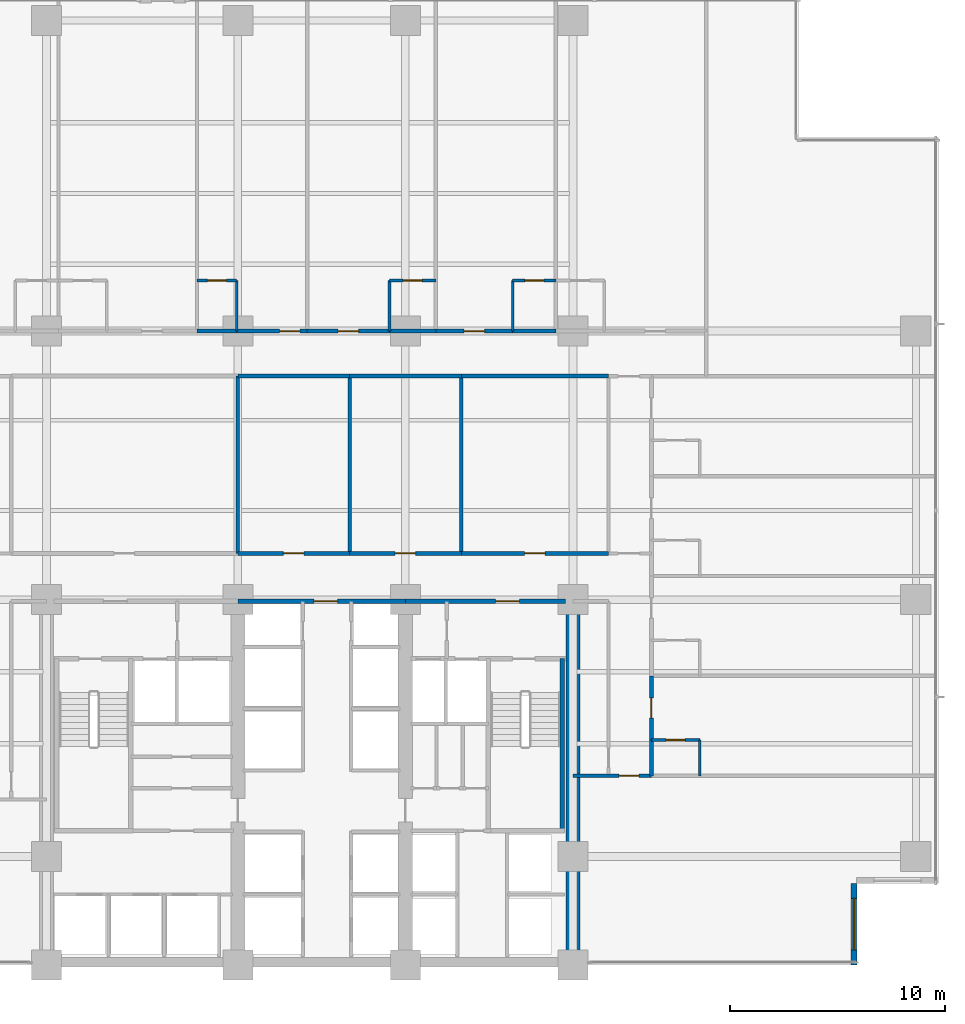
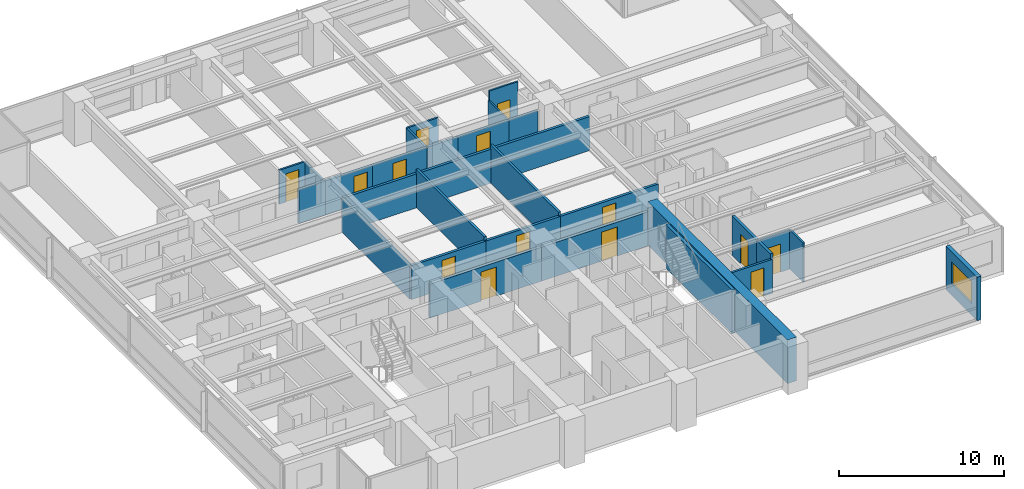
# One storey, part 10 of 18: 31 walls, 14 doors, 1 window, 15 openings.
"""IFC4 building model written with IfcOpenShell, lengths in metres."""

from ifc_helpers import new_model, si_unit, direction, frame, frame_2d, origin, place, context, subcontext, project, spatial, rectangle, extrude, material, layer, layer_set, type_object, element, fill, save


model = new_model("IFC4")

# Units and contexts
model_context = context("Model", 3, precision=1e-05, world=origin(), true_north=direction((0.0, 1.0)))
body_context = subcontext(model_context, "Body", "Model", "MODEL_VIEW")
ifc_project = project(units=[si_unit("LENGTHUNIT", "METRE"), si_unit("AREAUNIT", "SQUARE_METRE"), si_unit("VOLUMEUNIT", "CUBIC_METRE"), si_unit("PLANEANGLEUNIT", "RADIAN"), si_unit("MASSUNIT", "GRAM", prefix="KILO")], contexts=[model_context])

# Site, building, storey
site_placement = place(None, origin())
site = spatial("IfcSite", under=ifc_project, at=site_placement, CompositionType="ELEMENT")
building_placement = place(site_placement, origin())
building = spatial("IfcBuilding", under=site, at=building_placement, Name="Qalmaran Belvedere Hotel", CompositionType="ELEMENT")
storey_placement = place(building_placement, frame((0.0, 0.0, 54.39990234375)))
storey = spatial("IfcBuildingStorey", under=building, at=storey_placement, Name="L13", CompositionType="ELEMENT", Elevation=54.39990234375)

# Wall
ifc_material_1 = material(Name="Concrete C60/75", Category="concrete")
ifc_layer_1 = layer(ifc_material_1, 0.64990234375, Name="Concrete C60/75")
ifc_layer_set_1 = layer_set([ifc_layer_1], Name="Concrete C60/75")
wall_type_1 = type_object("IfcWallType", Name="WL-CORE-650-C60", PredefinedType="SHEAR", material=ifc_layer_set_1)
wall_1_placement = place(storey_placement, frame((44.800048828125, 3.5, 0.0), z_axis=(0.0, 0.0, 1.0), x_axis=(0.0, 1.0, 0.0)))
element("IfcWall", 1, at=wall_1_placement, inside=storey, type_object=wall_type_1, Name="L13 East Core Shear Wall", PredefinedType="SHEAR", context=body_context, shape_type="SweptSolid", body=[
    extrude(rectangle(XDim=16.89990234375, YDim=0.64990234375, at=frame_2d((8.449951171875, 0.0))), origin(), (0.0, 0.0, 1.0), 3.22021484375),
])

# Wall, opening, window
ifc_material_2 = material(Name="Anodised Bronze Cladding")
ifc_layer_2 = layer(ifc_material_2, 0.280029296875, Name="Anodised Bronze Cladding")
ifc_layer_set_2 = layer_set([ifc_layer_2], Name="Anodised Bronze Cladding")
wall_type_2 = type_object("IfcWallType", Name="WL-EXT-BRNZ-280", PredefinedType="SOLIDWALL", material=ifc_layer_set_2)
wall_2_placement = place(storey_placement, frame((57.8798828125, 3.5, 0.0), z_axis=(0.0, 0.0, 1.0), x_axis=(0.0, 1.0, 0.0)))
wall_2 = element("IfcWall", 2, at=wall_2_placement, inside=storey, type_object=wall_type_2, Name="L13 Corner Notch Wall 1", PredefinedType="SOLIDWALL", context=body_context, shape_type="SweptSolid", body=[
    extrude(rectangle(XDim=3.800048828125, YDim=0.280029296875, at=frame_2d((1.89990234375, 0.0))), origin(), (0.0, 0.0, 1.0), 3.22021484375),
])
opening_1_placement = place(wall_2_placement, frame((0.699951171875, 0.0, 0.85009765625)))
opening_1 = element("IfcOpeningElement", 3, at=opening_1_placement, cuts=wall_2, Name="Opening W-N24", PredefinedType="OPENING", context=body_context, shape_type="SweptSolid", body=[
    extrude(rectangle(XDim=2.39990234375, YDim=1.64990234375, at=frame_2d((1.199951171875, 0.824951171875))), frame((0.0, 0.14990234375, 0.0), z_axis=(0.0, -1.0, 0.0), x_axis=(1.0, 0.0, 0.0)), (0.0, 0.0, 1.0), 0.300048828125),
])
ifc_material_3 = material(Name="Solar-Control Double Glazing", Category="glass")
window_type = type_object("IfcWindowType", Name="WN-NTC-2400X1650", PartitioningType="SINGLE_PANEL", PredefinedType="WINDOW", material=ifc_material_3)
window_placement = place(opening_1_placement, origin())
window = element("IfcWindow", 4, at=window_placement, inside=storey, type_object=window_type, Name="L13 Corner Notch Window 1", OverallHeight=1.64990234375, OverallWidth=2.39990234375, PartitioningType="SINGLE_PANEL", PredefinedType="WINDOW", context=body_context, shape_type="SweptSolid", body=[
    extrude(rectangle(XDim=2.39990234375, YDim=1.64990234375, at=frame_2d((1.199951171875, 0.824951171875))), frame((0.0, 0.030029296875, 0.0), z_axis=(0.0, -1.0, 0.0), x_axis=(1.0, 0.0, 0.0)), (0.0, 0.0, 1.0), 0.06005859375),
])
fill(opening_1, window)

# Wall, opening, door
ifc_material_4 = material(Name="Moisture-Resistant Gypsum")
ifc_layer_3 = layer(ifc_material_4, 0.1201171875, Name="Moisture-Resistant Gypsum")
ifc_layer_set_3 = layer_set([ifc_layer_3], Name="Moisture-Resistant Gypsum")
wall_type_3 = type_object("IfcWallType", Name="WL-INT-120-BATH", PredefinedType="PARTITIONING", material=ifc_layer_set_3)
wall_3_placement = place(storey_placement, frame((27.300048828125, 35.35009765625, 0.0), z_axis=(0.0, 0.0, 1.0), x_axis=(1.0, 0.0, 0.0)))
wall_3 = element("IfcWall", 5, at=wall_3_placement, inside=storey, type_object=wall_type_3, Name="L13 Partition WL-L13-NBN02", PredefinedType="PARTITIONING", context=body_context, shape_type="SweptSolid", body=[
    extrude(rectangle(XDim=1.849853515625, YDim=0.1201171875, at=frame_2d((0.9248046875, 0.0))), origin(), (0.0, 0.0, 1.0), 2.510009765625),
])
opening_2_placement = place(wall_3_placement, frame((1.364990234375, 0.0, 0.0), z_axis=(0.0, 0.0, 1.0), x_axis=(-1.0, 0.0, 0.0)))
opening_2 = element("IfcOpeningElement", 6, at=opening_2_placement, cuts=wall_3, Name="Opening D-BATH", PredefinedType="OPENING", context=body_context, shape_type="SweptSolid", body=[
    extrude(rectangle(XDim=0.8798828125, YDim=2.080078125, at=frame_2d((0.43994140625, 1.0400390625))), frame((0.0, 0.070068359375, 0.0), z_axis=(0.0, -1.0, 0.0), x_axis=(1.0, 0.0, 0.0)), (0.0, 0.0, 1.0), 0.14013671875),
])
ifc_material_5 = material(Name="Engineered Oak Veneer")
door_type_1 = type_object("IfcDoorType", Name="DR-INT-BATH-880X2080", OperationType="NOTDEFINED", PredefinedType="DOOR", material=ifc_material_5)
door_1_placement = place(opening_2_placement, origin())
door_1 = element("IfcDoor", 7, at=door_1_placement, inside=storey, type_object=door_type_1, Name="L13 Ensuite Bathroom Door N03", OperationType="SINGLE_SWING_LEFT", OverallHeight=2.080078125, OverallWidth=0.8798828125, PredefinedType="DOOR", context=body_context, shape_type="SweptSolid", body=[
    extrude(rectangle(XDim=0.8798828125, YDim=2.080078125, at=frame_2d((0.43994140625, 1.0400390625))), frame((0.0, 0.02490234375, 0.0), z_axis=(0.0, -1.0, 0.0), x_axis=(1.0, 0.0, 0.0)), (0.0, 0.0, 1.0), 0.050048828125),
])
fill(opening_2, door_1)

# Wall
wall_4_placement = place(storey_placement, frame((29.14990234375, 33.0, 0.0), z_axis=(0.0, 0.0, 1.0), x_axis=(0.0, 1.0, 0.0)))
element("IfcWall", 8, at=wall_4_placement, inside=storey, type_object=wall_type_3, Name="L13 Partition WL-L13-NBS02", PredefinedType="PARTITIONING", context=body_context, shape_type="SweptSolid", body=[
    extrude(rectangle(XDim=2.35009765625, YDim=0.1201171875, at=frame_2d((1.175048828125, 0.0))), origin(), (0.0, 0.0, 1.0), 2.510009765625),
])

# Wall, opening, door
wall_5_placement = place(storey_placement, frame((36.2578125, 35.35009765625, 0.0), z_axis=(0.0, 0.0, 1.0), x_axis=(1.0, 0.0, 0.0)))
wall_5 = element("IfcWall", 9, at=wall_5_placement, inside=storey, type_object=wall_type_3, Name="L13 Partition WL-L13-NBN03", PredefinedType="PARTITIONING", context=body_context, shape_type="SweptSolid", body=[
    extrude(rectangle(XDim=2.159912109375, YDim=0.1201171875, at=frame_2d((1.080078125, 0.0))), origin(), (0.0, 0.0, 1.0), 2.510009765625),
])
opening_3_placement = place(wall_5_placement, frame((1.519775390625, 0.0, 0.0), z_axis=(0.0, 0.0, 1.0), x_axis=(-1.0, 0.0, 0.0)))
opening_3 = element("IfcOpeningElement", 10, at=opening_3_placement, cuts=wall_5, Name="Opening D-BATH", PredefinedType="OPENING", context=body_context, shape_type="SweptSolid", body=[
    extrude(rectangle(XDim=0.8798828125, YDim=2.080078125, at=frame_2d((0.43994140625, 1.0400390625))), frame((0.0, 0.070068359375, 0.0), z_axis=(0.0, -1.0, 0.0), x_axis=(1.0, 0.0, 0.0)), (0.0, 0.0, 1.0), 0.14013671875),
])
door_2_placement = place(opening_3_placement, origin())
door_2 = element("IfcDoor", 11, at=door_2_placement, inside=storey, type_object=door_type_1, Name="L13 Ensuite Bathroom Door N04", OperationType="SINGLE_SWING_LEFT", OverallHeight=2.080078125, OverallWidth=0.8798828125, PredefinedType="DOOR", context=body_context, shape_type="SweptSolid", body=[
    extrude(rectangle(XDim=0.8798828125, YDim=2.080078125, at=frame_2d((0.43994140625, 1.0400390625))), frame((0.0, 0.02490234375, 0.0), z_axis=(0.0, -1.0, 0.0), x_axis=(1.0, 0.0, 0.0)), (0.0, 0.0, 1.0), 0.050048828125),
])
fill(opening_3, door_2)

# Wall
wall_6_placement = place(storey_placement, frame((36.2578125, 33.0, 0.0), z_axis=(0.0, 0.0, 1.0), x_axis=(0.0, 1.0, 0.0)))
element("IfcWall", 12, at=wall_6_placement, inside=storey, type_object=wall_type_3, Name="L13 Partition WL-L13-NBS03", PredefinedType="PARTITIONING", context=body_context, shape_type="SweptSolid", body=[
    extrude(rectangle(XDim=2.35009765625, YDim=0.1201171875, at=frame_2d((1.175048828125, 0.0))), origin(), (0.0, 0.0, 1.0), 2.510009765625),
])

# Wall, opening, door
wall_7_placement = place(storey_placement, frame((41.9951171875, 35.35009765625, 0.0), z_axis=(0.0, 0.0, 1.0), x_axis=(1.0, 0.0, 0.0)))
wall_7 = element("IfcWall", 13, at=wall_7_placement, inside=storey, type_object=wall_type_3, Name="L13 Partition WL-L13-NBN04", PredefinedType="PARTITIONING", context=body_context, shape_type="SweptSolid", body=[
    extrude(rectangle(XDim=2.010009765625, YDim=0.1201171875, at=frame_2d((1.0048828125, 0.0))), origin(), (0.0, 0.0, 1.0), 3.22021484375),
])
opening_4_placement = place(wall_7_placement, frame((1.44482421875, 0.0, 0.0), z_axis=(0.0, 0.0, 1.0), x_axis=(-1.0, 0.0, 0.0)))
opening_4 = element("IfcOpeningElement", 14, at=opening_4_placement, cuts=wall_7, Name="Opening D-BATH", PredefinedType="OPENING", context=body_context, shape_type="SweptSolid", body=[
    extrude(rectangle(XDim=0.8798828125, YDim=2.080078125, at=frame_2d((0.43994140625, 1.0400390625))), frame((0.0, 0.070068359375, 0.0), z_axis=(0.0, -1.0, 0.0), x_axis=(1.0, 0.0, 0.0)), (0.0, 0.0, 1.0), 0.14013671875),
])
door_3_placement = place(opening_4_placement, origin())
door_3 = element("IfcDoor", 15, at=door_3_placement, inside=storey, type_object=door_type_1, Name="L13 Ensuite Bathroom Door N05", OperationType="SINGLE_SWING_LEFT", OverallHeight=2.080078125, OverallWidth=0.8798828125, PredefinedType="DOOR", context=body_context, shape_type="SweptSolid", body=[
    extrude(rectangle(XDim=0.8798828125, YDim=2.080078125, at=frame_2d((0.43994140625, 1.0400390625))), frame((0.0, 0.02490234375, 0.0), z_axis=(0.0, -1.0, 0.0), x_axis=(1.0, 0.0, 0.0)), (0.0, 0.0, 1.0), 0.050048828125),
])
fill(opening_4, door_3)

# Wall
wall_8_placement = place(storey_placement, frame((41.9951171875, 33.0, 0.0), z_axis=(0.0, 0.0, 1.0), x_axis=(0.0, 1.0, 0.0)))
element("IfcWall", 16, at=wall_8_placement, inside=storey, type_object=wall_type_3, Name="L13 Partition WL-L13-NBS04", PredefinedType="PARTITIONING", context=body_context, shape_type="SweptSolid", body=[
    extrude(rectangle(XDim=2.35009765625, YDim=0.1201171875, at=frame_2d((1.175048828125, 0.0))), origin(), (0.0, 0.0, 1.0), 2.510009765625),
])

# Wall, opening, door
wall_9_placement = place(storey_placement, frame((48.449951171875, 13.969970703125, 0.0), z_axis=(0.0, 0.0, 1.0), x_axis=(1.0, 0.0, 0.0)))
wall_9 = element("IfcWall", 17, at=wall_9_placement, inside=storey, type_object=wall_type_3, Name="L13 Partition WL-L13-EBN00", PredefinedType="PARTITIONING", context=body_context, shape_type="SweptSolid", body=[
    extrude(rectangle(XDim=2.25, YDim=0.1201171875, at=frame_2d((1.125, 0.0))), origin(), (0.0, 0.0, 1.0), 2.902099609375),
])
opening_5_placement = place(wall_9_placement, frame((1.56494140625, 0.0, 0.0), z_axis=(0.0, 0.0, 1.0), x_axis=(-1.0, 0.0, 0.0)))
opening_5 = element("IfcOpeningElement", 18, at=opening_5_placement, cuts=wall_9, Name="Opening D-BATH", PredefinedType="OPENING", context=body_context, shape_type="SweptSolid", body=[
    extrude(rectangle(XDim=0.8798828125, YDim=2.080078125, at=frame_2d((0.43994140625, 1.0400390625))), frame((0.0, 0.070068359375, 0.0), z_axis=(0.0, -1.0, 0.0), x_axis=(1.0, 0.0, 0.0)), (0.0, 0.0, 1.0), 0.14013671875),
])
door_4_placement = place(opening_5_placement, origin())
door_4 = element("IfcDoor", 19, at=door_4_placement, inside=storey, type_object=door_type_1, Name="L13 E Ensuite Door 01", OperationType="SINGLE_SWING_LEFT", OverallHeight=2.080078125, OverallWidth=0.8798828125, PredefinedType="DOOR", context=body_context, shape_type="SweptSolid", body=[
    extrude(rectangle(XDim=0.8798828125, YDim=2.080078125, at=frame_2d((0.43994140625, 1.0400390625))), frame((0.0, 0.02490234375, 0.0), z_axis=(0.0, -1.0, 0.0), x_axis=(1.0, 0.0, 0.0)), (0.0, 0.0, 1.0), 0.050048828125),
])
fill(opening_5, door_4)

# Wall
wall_10_placement = place(storey_placement, frame((50.699951171875, 12.300048828125, 0.0), z_axis=(0.0, 0.0, 1.0), x_axis=(0.0, 1.0, 0.0)))
element("IfcWall", 20, at=wall_10_placement, inside=storey, type_object=wall_type_3, Name="L13 Partition WL-L13-EBS00", PredefinedType="PARTITIONING", context=body_context, shape_type="SweptSolid", body=[
    extrude(rectangle(XDim=1.669921875, YDim=0.1201171875, at=frame_2d((0.8349609375, 0.0))), origin(), (0.0, 0.0, 1.0), 2.902099609375),
])

# Wall, opening, door
ifc_material_6 = material(Name="Gypsum Stud Partition")
ifc_layer_4 = layer(ifc_material_6, 0.159912109375, Name="Gypsum Stud Partition")
ifc_layer_set_4 = layer_set([ifc_layer_4], Name="Gypsum Stud Partition")
wall_type_4 = type_object("IfcWallType", Name="WL-INT-160-EI60", PredefinedType="PARTITIONING", material=ifc_layer_set_4)
wall_11_placement = place(storey_placement, frame((44.800048828125, 12.300048828125, 0.0), z_axis=(0.0, 0.0, 1.0), x_axis=(1.0, 0.0, 0.0)))
wall_11 = element("IfcWall", 21, at=wall_11_placement, inside=storey, type_object=wall_type_4, Name="L13 Partition WL-L13-SERL", PredefinedType="PARTITIONING", context=body_context, shape_type="SweptSolid", body=[
    extrude(rectangle(XDim=3.64990234375, YDim=0.159912109375, at=frame_2d((1.824951171875, 0.0))), origin(), (0.0, 0.0, 1.0), 2.510009765625),
])
opening_6_placement = place(wall_11_placement, frame((3.06982421875, 0.0, 0.0), z_axis=(0.0, 0.0, 1.0), x_axis=(-1.0, 0.0, 0.0)))
opening_6 = element("IfcOpeningElement", 22, at=opening_6_placement, cuts=wall_11, Name="Opening FD60S1", PredefinedType="OPENING", context=body_context, shape_type="SweptSolid", body=[
    extrude(rectangle(XDim=0.919921875, YDim=2.080078125, at=frame_2d((0.4599609375, 1.0400390625))), frame((0.0, 0.08984375, 0.0), z_axis=(0.0, -1.0, 0.0), x_axis=(1.0, 0.0, 0.0)), (0.0, 0.0, 1.0), 0.179931640625),
])
door_type_2 = type_object("IfcDoorType", Name="DR-FD60S-920X2080", OperationType="NOTDEFINED", PredefinedType="DOOR", material=ifc_material_5)
door_5_placement = place(opening_6_placement, origin())
door_5 = element("IfcDoor", 23, at=door_5_placement, inside=storey, type_object=door_type_2, Name="L13 SE Lounge Door", OperationType="SINGLE_SWING_RIGHT", OverallHeight=2.080078125, OverallWidth=0.919921875, PredefinedType="DOOR", context=body_context, shape_type="SweptSolid", body=[
    extrude(rectangle(XDim=0.919921875, YDim=2.080078125, at=frame_2d((0.4599609375, 1.0400390625))), frame((0.0, 0.02490234375, 0.0), z_axis=(0.0, -1.0, 0.0), x_axis=(1.0, 0.0, 0.0)), (0.0, 0.0, 1.0), 0.050048828125),
])
fill(opening_6, door_5)

# Walls
wall_12_placement = place(storey_placement, frame((29.199951171875, 22.64990234375, 0.0), z_axis=(0.0, 0.0, 1.0), x_axis=(0.0, 1.0, 0.0)))
element("IfcWall", 24, at=wall_12_placement, inside=storey, type_object=wall_type_4, Name="L13 Partition WL-L13-MIDVR1", PredefinedType="PARTITIONING", context=body_context, shape_type="SweptSolid", body=[
    extrude(rectangle(XDim=8.25, YDim=0.159912109375, at=frame_2d((4.125, 0.0))), origin(), (0.0, 0.0, 1.0), 2.510009765625),
])
for number, where, z_axis, x_axis, name in (
    (25, (34.39990234375, 22.64990234375, 0.0), (0.0, 0.0, 1.0), (0.0, 1.0, 0.0), "L13 Partition WL-L13-MIDVR2"),
    (26, (39.60009765625, 22.64990234375, 0.0), (0.0, 0.0, 1.0), (0.0, 1.0, 0.0), "L13 Partition WL-L13-MIDVR3"),
):
    element("IfcWall", number, at=place(storey_placement, frame(where, z_axis=z_axis, x_axis=x_axis)), inside=storey, type_object=wall_type_4, Name=name, PredefinedType="PARTITIONING", context=body_context, shape_type="SweptSolid", body=[
        extrude(rectangle(XDim=8.25, YDim=0.159912109375, at=frame_2d((4.125, 0.0))), origin(), (0.0, 0.0, 1.0), 2.7880859375),
    ])

# Wall, opening, door
ifc_layer_5 = layer(ifc_material_6, 0.179931640625, Name="Gypsum Stud Partition")
ifc_layer_set_5 = layer_set([ifc_layer_5], Name="Gypsum Stud Partition")
wall_type_5 = type_object("IfcWallType", Name="WL-INT-180-EI60", PredefinedType="PARTITIONING", material=ifc_layer_set_5)
wall_13_placement = place(storey_placement, frame((29.199951171875, 22.64990234375, 0.0), z_axis=(0.0, 0.0, 1.0), x_axis=(1.0, 0.0, 0.0)))
wall_13 = element("IfcWall", 27, at=wall_13_placement, inside=storey, type_object=wall_type_5, Name="L13 Partition WL-L13-MIDD2", PredefinedType="PARTITIONING", context=body_context, shape_type="SweptSolid", body=[
    extrude(rectangle(XDim=5.199951171875, YDim=0.179931640625, at=frame_2d((2.60009765625, 0.0))), origin(), (0.0, 0.0, 1.0), 2.510009765625),
])
opening_7_placement = place(wall_13_placement, frame((2.125, 0.0, 0.0)))
opening_7 = element("IfcOpeningElement", 28, at=opening_7_placement, cuts=wall_13, Name="Opening FD60", PredefinedType="OPENING", context=body_context, shape_type="SweptSolid", body=[
    extrude(rectangle(XDim=0.949951171875, YDim=2.14990234375, at=frame_2d((0.47509765625, 1.074951171875))), frame((0.0, 0.10009765625, 0.0), z_axis=(0.0, -1.0, 0.0), x_axis=(1.0, 0.0, 0.0)), (0.0, 0.0, 1.0), 0.199951171875),
])
door_type_3 = type_object("IfcDoorType", Name="DR-FD60-950X2150", OperationType="NOTDEFINED", PredefinedType="DOOR", material=ifc_material_5)
door_6_placement = place(opening_7_placement, origin())
door_6 = element("IfcDoor", 29, at=door_6_placement, inside=storey, type_object=door_type_3, Name="L13 Butler Pantry Door", OperationType="SINGLE_SWING_RIGHT", OverallHeight=2.14990234375, OverallWidth=0.949951171875, PredefinedType="DOOR", context=body_context, shape_type="SweptSolid", body=[
    extrude(rectangle(XDim=0.949951171875, YDim=2.14990234375, at=frame_2d((0.47509765625, 1.074951171875))), frame((0.0, 0.02490234375, 0.0), z_axis=(0.0, -1.0, 0.0), x_axis=(1.0, 0.0, 0.0)), (0.0, 0.0, 1.0), 0.050048828125),
])
fill(opening_7, door_6)

# Wall
wall_14_placement = place(storey_placement, frame((29.199951171875, 30.89990234375, 0.0), z_axis=(0.0, 0.0, 1.0), x_axis=(1.0, 0.0, 0.0)))
element("IfcWall", 30, at=wall_14_placement, inside=storey, type_object=wall_type_5, Name="L13 Partition WL-L13-MIDO2", PredefinedType="PARTITIONING", context=body_context, shape_type="SweptSolid", body=[
    extrude(rectangle(XDim=5.199951171875, YDim=0.179931640625, at=frame_2d((2.60009765625, 0.0))), origin(), (0.0, 0.0, 1.0), 2.510009765625),
])

# Wall, opening, door
wall_15_placement = place(storey_placement, frame((34.39990234375, 22.64990234375, 0.0), z_axis=(0.0, 0.0, 1.0), x_axis=(1.0, 0.0, 0.0)))
wall_15 = element("IfcWall", 31, at=wall_15_placement, inside=storey, type_object=wall_type_5, Name="L13 Partition WL-L13-MIDD3", PredefinedType="PARTITIONING", context=body_context, shape_type="SweptSolid", body=[
    extrude(rectangle(XDim=5.2001953125, YDim=0.179931640625, at=frame_2d((2.60009765625, 0.0))), origin(), (0.0, 0.0, 1.0), 2.510009765625),
])
opening_8_placement = place(wall_15_placement, frame((2.125, 0.0, 0.0)))
opening_8 = element("IfcOpeningElement", 32, at=opening_8_placement, cuts=wall_15, Name="Opening FD60", PredefinedType="OPENING", context=body_context, shape_type="SweptSolid", body=[
    extrude(rectangle(XDim=0.949951171875, YDim=2.14990234375, at=frame_2d((0.47509765625, 1.074951171875))), frame((0.0, 0.10009765625, 0.0), z_axis=(0.0, -1.0, 0.0), x_axis=(1.0, 0.0, 0.0)), (0.0, 0.0, 1.0), 0.199951171875),
])
door_7_placement = place(opening_8_placement, origin())
door_7 = element("IfcDoor", 33, at=door_7_placement, inside=storey, type_object=door_type_3, Name="L13 Coffee Pantry Door", OperationType="SINGLE_SWING_LEFT", OverallHeight=2.14990234375, OverallWidth=0.949951171875, PredefinedType="DOOR", context=body_context, shape_type="SweptSolid", body=[
    extrude(rectangle(XDim=0.949951171875, YDim=2.14990234375, at=frame_2d((0.47509765625, 1.074951171875))), frame((0.0, 0.02490234375, 0.0), z_axis=(0.0, -1.0, 0.0), x_axis=(1.0, 0.0, 0.0)), (0.0, 0.0, 1.0), 0.050048828125),
])
fill(opening_8, door_7)

# Wall
wall_16_placement = place(storey_placement, frame((34.39990234375, 30.89990234375, 0.0), z_axis=(0.0, 0.0, 1.0), x_axis=(1.0, 0.0, 0.0)))
element("IfcWall", 34, at=wall_16_placement, inside=storey, type_object=wall_type_5, Name="L13 Partition WL-L13-MIDO3", PredefinedType="PARTITIONING", context=body_context, shape_type="SweptSolid", body=[
    extrude(rectangle(XDim=5.2001953125, YDim=0.179931640625, at=frame_2d((2.60009765625, 0.0))), origin(), (0.0, 0.0, 1.0), 2.510009765625),
])

# Wall, opening, door
wall_17_placement = place(storey_placement, frame((39.60009765625, 22.64990234375, 0.0), z_axis=(0.0, 0.0, 1.0), x_axis=(1.0, 0.0, 0.0)))
wall_17 = element("IfcWall", 35, at=wall_17_placement, inside=storey, type_object=wall_type_5, Name="L13 Partition WL-L13-MIDD4", PredefinedType="PARTITIONING", context=body_context, shape_type="SweptSolid", body=[
    extrude(rectangle(XDim=6.849853515625, YDim=0.179931640625, at=frame_2d((3.4248046875, 0.0))), origin(), (0.0, 0.0, 1.0), 2.510009765625),
])
opening_9_placement = place(wall_17_placement, frame((2.949951171875, 0.0, 0.0)))
opening_9 = element("IfcOpeningElement", 36, at=opening_9_placement, cuts=wall_17, Name="Opening FD60", PredefinedType="OPENING", context=body_context, shape_type="SweptSolid", body=[
    extrude(rectangle(XDim=0.949951171875, YDim=2.14990234375, at=frame_2d((0.47509765625, 1.074951171875))), frame((0.0, 0.10009765625, 0.0), z_axis=(0.0, -1.0, 0.0), x_axis=(1.0, 0.0, 0.0)), (0.0, 0.0, 1.0), 0.199951171875),
])
door_8_placement = place(opening_9_placement, origin())
door_8 = element("IfcDoor", 37, at=door_8_placement, inside=storey, type_object=door_type_3, Name="L13 Beverage Pantry Door", OperationType="SINGLE_SWING_RIGHT", OverallHeight=2.14990234375, OverallWidth=0.949951171875, PredefinedType="DOOR", context=body_context, shape_type="SweptSolid", body=[
    extrude(rectangle(XDim=0.949951171875, YDim=2.14990234375, at=frame_2d((0.47509765625, 1.074951171875))), frame((0.0, 0.02490234375, 0.0), z_axis=(0.0, -1.0, 0.0), x_axis=(1.0, 0.0, 0.0)), (0.0, 0.0, 1.0), 0.050048828125),
])
fill(opening_9, door_8)

# Walls
wall_18_placement = place(storey_placement, frame((39.60009765625, 30.89990234375, 0.0), z_axis=(0.0, 0.0, 1.0), x_axis=(1.0, 0.0, 0.0)))
element("IfcWall", 38, at=wall_18_placement, inside=storey, type_object=wall_type_5, Name="L13 Partition WL-L13-MIDO4", PredefinedType="PARTITIONING", context=body_context, shape_type="SweptSolid", body=[
    extrude(rectangle(XDim=6.849853515625, YDim=0.179931640625, at=frame_2d((3.4248046875, 0.0))), origin(), (0.0, 0.0, 1.0), 2.510009765625),
])
wall_19_placement = place(storey_placement, frame((27.300048828125, 33.0, 0.0), z_axis=(0.0, 0.0, 1.0), x_axis=(1.0, 0.0, 0.0)))
element("IfcWall", 39, at=wall_19_placement, inside=storey, type_object=wall_type_5, Name="L13 Partition WL-L13-NBC02", PredefinedType="PARTITIONING", context=body_context, shape_type="SweptSolid", body=[
    extrude(rectangle(XDim=1.849853515625, YDim=0.179931640625, at=frame_2d((0.9248046875, 0.0))), origin(), (0.0, 0.0, 1.0), 2.510009765625),
])

# Wall, opening, door
wall_20_placement = place(storey_placement, frame((29.14990234375, 33.0, 0.0), z_axis=(0.0, 0.0, 1.0), x_axis=(1.0, 0.0, 0.0)))
wall_20 = element("IfcWall", 40, at=wall_20_placement, inside=storey, type_object=wall_type_5, Name="L13 Partition WL-L13-NEC02", PredefinedType="PARTITIONING", context=body_context, shape_type="SweptSolid", body=[
    extrude(rectangle(XDim=3.281494140625, YDim=0.179931640625, at=frame_2d((1.640625, 0.0))), origin(), (0.0, 0.0, 1.0), 2.510009765625),
])
opening_10_placement = place(wall_20_placement, frame((1.9931640625, 0.0, 0.0)))
opening_10 = element("IfcOpeningElement", 41, at=opening_10_placement, cuts=wall_20, Name="Opening FD60", PredefinedType="OPENING", context=body_context, shape_type="SweptSolid", body=[
    extrude(rectangle(XDim=0.949951171875, YDim=2.14990234375, at=frame_2d((0.47509765625, 1.074951171875))), frame((0.0, 0.10009765625, 0.0), z_axis=(0.0, -1.0, 0.0), x_axis=(1.0, 0.0, 0.0)), (0.0, 0.0, 1.0), 0.199951171875),
])
door_9_placement = place(opening_10_placement, origin())
door_9 = element("IfcDoor", 42, at=door_9_placement, inside=storey, type_object=door_type_3, Name="L13 Guest Entrance Door N03", OperationType="SINGLE_SWING_RIGHT", OverallHeight=2.14990234375, OverallWidth=0.949951171875, PredefinedType="DOOR", context=body_context, shape_type="SweptSolid", body=[
    extrude(rectangle(XDim=0.949951171875, YDim=2.14990234375, at=frame_2d((0.47509765625, 1.074951171875))), frame((0.0, 0.02490234375, 0.0), z_axis=(0.0, -1.0, 0.0), x_axis=(1.0, 0.0, 0.0)), (0.0, 0.0, 1.0), 0.050048828125),
])
fill(opening_10, door_9)

# Wall
wall_21_placement = place(storey_placement, frame((36.2578125, 33.0, 0.0), z_axis=(0.0, 0.0, 1.0), x_axis=(1.0, 0.0, 0.0)))
element("IfcWall", 43, at=wall_21_placement, inside=storey, type_object=wall_type_5, Name="L13 Partition WL-L13-NBC03", PredefinedType="PARTITIONING", context=body_context, shape_type="SweptSolid", body=[
    extrude(rectangle(XDim=2.159912109375, YDim=0.179931640625, at=frame_2d((1.080078125, 0.0))), origin(), (0.0, 0.0, 1.0), 2.510009765625),
])

# Wall, opening, door
wall_22_placement = place(storey_placement, frame((32.431396484375, 33.0, 0.0), z_axis=(0.0, 0.0, 1.0), x_axis=(1.0, 0.0, 0.0)))
wall_22 = element("IfcWall", 44, at=wall_22_placement, inside=storey, type_object=wall_type_5, Name="L13 Partition WL-L13-NEC03", PredefinedType="PARTITIONING", context=body_context, shape_type="SweptSolid", body=[
    extrude(rectangle(XDim=3.826416015625, YDim=0.179931640625, at=frame_2d((1.9130859375, 0.0))), origin(), (0.0, 0.0, 1.0), 2.510009765625),
])
opening_11_placement = place(wall_22_placement, frame((1.438232421875, 0.0, 0.0)))
opening_11 = element("IfcOpeningElement", 45, at=opening_11_placement, cuts=wall_22, Name="Opening FD60", PredefinedType="OPENING", context=body_context, shape_type="SweptSolid", body=[
    extrude(rectangle(XDim=0.949951171875, YDim=2.14990234375, at=frame_2d((0.47509765625, 1.074951171875))), frame((0.0, 0.10009765625, 0.0), z_axis=(0.0, -1.0, 0.0), x_axis=(1.0, 0.0, 0.0)), (0.0, 0.0, 1.0), 0.199951171875),
])
door_10_placement = place(opening_11_placement, origin())
door_10 = element("IfcDoor", 46, at=door_10_placement, inside=storey, type_object=door_type_3, Name="L13 Guest Entrance Door N04", OperationType="SINGLE_SWING_RIGHT", OverallHeight=2.14990234375, OverallWidth=0.949951171875, PredefinedType="DOOR", context=body_context, shape_type="SweptSolid", body=[
    extrude(rectangle(XDim=0.949951171875, YDim=2.14990234375, at=frame_2d((0.47509765625, 1.074951171875))), frame((0.0, 0.02490234375, 0.0), z_axis=(0.0, -1.0, 0.0), x_axis=(1.0, 0.0, 0.0)), (0.0, 0.0, 1.0), 0.050048828125),
])
fill(opening_11, door_10)

# Wall
wall_23_placement = place(storey_placement, frame((41.9951171875, 33.0, 0.0), z_axis=(0.0, 0.0, 1.0), x_axis=(1.0, 0.0, 0.0)))
element("IfcWall", 47, at=wall_23_placement, inside=storey, type_object=wall_type_5, Name="L13 Partition WL-L13-NBC04", PredefinedType="PARTITIONING", context=body_context, shape_type="SweptSolid", body=[
    extrude(rectangle(XDim=2.010009765625, YDim=0.179931640625, at=frame_2d((1.0048828125, 0.0))), origin(), (0.0, 0.0, 1.0), 2.510009765625),
])

# Wall, opening, door
wall_24_placement = place(storey_placement, frame((38.417724609375, 33.0, 0.0), z_axis=(0.0, 0.0, 1.0), x_axis=(1.0, 0.0, 0.0)))
wall_24 = element("IfcWall", 48, at=wall_24_placement, inside=storey, type_object=wall_type_5, Name="L13 Partition WL-L13-NEC04", PredefinedType="PARTITIONING", context=body_context, shape_type="SweptSolid", body=[
    extrude(rectangle(XDim=3.577392578125, YDim=0.179931640625, at=frame_2d((1.78857421875, 0.0))), origin(), (0.0, 0.0, 1.0), 2.510009765625),
])
opening_12_placement = place(wall_24_placement, frame((1.313720703125, 0.0, 0.0)))
opening_12 = element("IfcOpeningElement", 49, at=opening_12_placement, cuts=wall_24, Name="Opening FD60", PredefinedType="OPENING", context=body_context, shape_type="SweptSolid", body=[
    extrude(rectangle(XDim=0.949951171875, YDim=2.14990234375, at=frame_2d((0.47509765625, 1.074951171875))), frame((0.0, 0.10009765625, 0.0), z_axis=(0.0, -1.0, 0.0), x_axis=(1.0, 0.0, 0.0)), (0.0, 0.0, 1.0), 0.199951171875),
])
door_11_placement = place(opening_12_placement, origin())
door_11 = element("IfcDoor", 50, at=door_11_placement, inside=storey, type_object=door_type_3, Name="L13 Guest Entrance Door N05", OperationType="SINGLE_SWING_RIGHT", OverallHeight=2.14990234375, OverallWidth=0.949951171875, PredefinedType="DOOR", context=body_context, shape_type="SweptSolid", body=[
    extrude(rectangle(XDim=0.949951171875, YDim=2.14990234375, at=frame_2d((0.47509765625, 1.074951171875))), frame((0.0, 0.02490234375, 0.0), z_axis=(0.0, -1.0, 0.0), x_axis=(1.0, 0.0, 0.0)), (0.0, 0.0, 1.0), 0.050048828125),
])
fill(opening_12, door_11)

# Wall
wall_25_placement = place(storey_placement, frame((48.449951171875, 12.300048828125, 0.0), z_axis=(0.0, 0.0, 1.0), x_axis=(0.0, 1.0, 0.0)))
element("IfcWall", 51, at=wall_25_placement, inside=storey, type_object=wall_type_5, Name="L13 Partition WL-L13-EBC00", PredefinedType="PARTITIONING", context=body_context, shape_type="SweptSolid", body=[
    extrude(rectangle(XDim=1.669921875, YDim=0.179931640625, at=frame_2d((0.8349609375, 0.0))), origin(), (0.0, 0.0, 1.0), 2.902099609375),
])

# Wall, opening, door
wall_26_placement = place(storey_placement, frame((48.449951171875, 13.969970703125, 0.0), z_axis=(0.0, 0.0, 1.0), x_axis=(0.0, 1.0, 0.0)))
wall_26 = element("IfcWall", 52, at=wall_26_placement, inside=storey, type_object=wall_type_5, Name="L13 Partition WL-L13-EEC00", PredefinedType="PARTITIONING", context=body_context, shape_type="SweptSolid", body=[
    extrude(rectangle(XDim=2.97998046875, YDim=0.179931640625, at=frame_2d((1.489990234375, 0.0))), origin(), (0.0, 0.0, 1.0), 2.902099609375),
])
opening_13_placement = place(wall_26_placement, frame((1.96484375, 0.0, 0.0), z_axis=(0.0, 0.0, 1.0), x_axis=(-1.0, 0.0, 0.0)))
opening_13 = element("IfcOpeningElement", 53, at=opening_13_placement, cuts=wall_26, Name="Opening FD60", PredefinedType="OPENING", context=body_context, shape_type="SweptSolid", body=[
    extrude(rectangle(XDim=0.949951171875, YDim=2.14990234375, at=frame_2d((0.47509765625, 1.074951171875))), frame((0.0, 0.10009765625, 0.0), z_axis=(0.0, -1.0, 0.0), x_axis=(1.0, 0.0, 0.0)), (0.0, 0.0, 1.0), 0.199951171875),
])
door_12_placement = place(opening_13_placement, origin())
door_12 = element("IfcDoor", 54, at=door_12_placement, inside=storey, type_object=door_type_3, Name="L13 E Wing Door 01", OperationType="SINGLE_SWING_RIGHT", OverallHeight=2.14990234375, OverallWidth=0.949951171875, PredefinedType="DOOR", context=body_context, shape_type="SweptSolid", body=[
    extrude(rectangle(XDim=0.949951171875, YDim=2.14990234375, at=frame_2d((0.47509765625, 1.074951171875))), frame((0.0, 0.02490234375, 0.0), z_axis=(0.0, -1.0, 0.0), x_axis=(1.0, 0.0, 0.0)), (0.0, 0.0, 1.0), 0.050048828125),
])
fill(opening_13, door_12)

ifc_material_7 = material(Name="Concrete C30/37 Blockwork", Category="masonry")
ifc_layer_6 = layer(ifc_material_7, 0.199951171875, Name="Concrete C30/37 Blockwork")
ifc_layer_set_6 = layer_set([ifc_layer_6], Name="Concrete C30/37 Blockwork")
wall_type_6 = type_object("IfcWallType", Name="WL-INT-200-EI120", PredefinedType="PARTITIONING", material=ifc_layer_set_6)
wall_27_placement = place(storey_placement, frame((29.199951171875, 20.419921875, 0.0), z_axis=(0.0, 0.0, 1.0), x_axis=(1.0, 0.0, 0.0)))
wall_27 = element("IfcWall", 55, at=wall_27_placement, inside=storey, type_object=wall_type_6, Name="L13 Partition WL-CN2-L13", PredefinedType="PARTITIONING", context=body_context, shape_type="SweptSolid", body=[
    extrude(rectangle(XDim=7.800048828125, YDim=0.199951171875, at=frame_2d((3.89990234375, 0.0))), origin(), (0.0, 0.0, 1.0), 2.510009765625),
])
opening_14_placement = place(wall_27_placement, frame((3.550048828125, 0.0, 0.0)))
opening_14 = element("IfcOpeningElement", 56, at=opening_14_placement, cuts=wall_27, Name="Opening FD90", PredefinedType="OPENING", context=body_context, shape_type="SweptSolid", body=[
    extrude(rectangle(XDim=1.10009765625, YDim=2.14990234375, at=frame_2d((0.550048828125, 1.074951171875))), frame((0.0, 0.10986328125, 0.0), z_axis=(0.0, -1.0, 0.0), x_axis=(1.0, 0.0, 0.0)), (0.0, 0.0, 1.0), 0.219970703125),
])
ifc_material_8 = material(Name="Steel S355JR", Category="steel")
door_type_4 = type_object("IfcDoorType", Name="DR-FD90-1100X2150", OperationType="NOTDEFINED", PredefinedType="DOOR", material=ifc_material_8)
door_13_placement = place(opening_14_placement, origin())
door_13 = element("IfcDoor", 57, at=door_13_placement, inside=storey, type_object=door_type_4, Name="L13 Central Lift Lobby Door", OperationType="SINGLE_SWING_RIGHT", OverallHeight=2.14990234375, OverallWidth=1.10009765625, PredefinedType="DOOR", context=body_context, shape_type="SweptSolid", body=[
    extrude(rectangle(XDim=1.10009765625, YDim=2.14990234375, at=frame_2d((0.550048828125, 1.074951171875))), frame((0.0, 0.02490234375, 0.0), z_axis=(0.0, -1.0, 0.0), x_axis=(1.0, 0.0, 0.0)), (0.0, 0.0, 1.0), 0.050048828125),
])
fill(opening_14, door_13)

wall_28_placement = place(storey_placement, frame((37.0, 20.419921875, 0.0), z_axis=(0.0, 0.0, 1.0), x_axis=(1.0, 0.0, 0.0)))
wall_28 = element("IfcWall", 58, at=wall_28_placement, inside=storey, type_object=wall_type_6, Name="L13 Partition WL-CN3-L13", PredefinedType="PARTITIONING", context=body_context, shape_type="SweptSolid", body=[
    extrude(rectangle(XDim=7.449951171875, YDim=0.199951171875, at=frame_2d((3.72509765625, 0.0))), origin(), (0.0, 0.0, 1.0), 2.510009765625),
])
opening_15_placement = place(wall_28_placement, frame((4.199951171875, 0.0, 0.0)))
opening_15 = element("IfcOpeningElement", 59, at=opening_15_placement, cuts=wall_28, Name="Opening FD90", PredefinedType="OPENING", context=body_context, shape_type="SweptSolid", body=[
    extrude(rectangle(XDim=1.10009765625, YDim=2.14990234375, at=frame_2d((0.550048828125, 1.074951171875))), frame((0.0, 0.10986328125, 0.0), z_axis=(0.0, -1.0, 0.0), x_axis=(1.0, 0.0, 0.0)), (0.0, 0.0, 1.0), 0.219970703125),
])
door_14_placement = place(opening_15_placement, origin())
door_14 = element("IfcDoor", 60, at=door_14_placement, inside=storey, type_object=door_type_4, Name="L13 FF2 Lobby Corridor Door", OperationType="SINGLE_SWING_LEFT", OverallHeight=2.14990234375, OverallWidth=1.10009765625, PredefinedType="DOOR", context=body_context, shape_type="SweptSolid", body=[
    extrude(rectangle(XDim=1.10009765625, YDim=2.14990234375, at=frame_2d((0.550048828125, 1.074951171875))), frame((0.0, 0.02490234375, 0.0), z_axis=(0.0, -1.0, 0.0), x_axis=(1.0, 0.0, 0.0)), (0.0, 0.0, 1.0), 0.050048828125),
])
fill(opening_15, door_14)

# Wall
ifc_material_9 = material(Name="Concrete C50/60", Category="concrete")
ifc_layer_7 = layer(ifc_material_9, 0.2099609375, Name="Concrete C50/60")
ifc_layer_set_7 = layer_set([ifc_layer_7], Name="Concrete C50/60")
wall_type_7 = type_object("IfcWallType", Name="WL-STAIR-210-C50", PredefinedType="SHEAR", material=ifc_layer_set_7)
wall_29_placement = place(storey_placement, frame((44.304931640625, 9.7451171875, 0.0), z_axis=(0.0, 0.0, 1.0), x_axis=(0.0, 1.0, 0.0)))
element("IfcWall", 61, at=wall_29_placement, inside=storey, type_object=wall_type_7, Name="L13 Stair ST-2 East Bearing Wall", PredefinedType="SHEAR", context=body_context, shape_type="SweptSolid", body=[
    extrude(rectangle(XDim=8.009765625, YDim=0.2099609375, at=frame_2d((4.0048828125, 0.0))), origin(), (0.0, 0.0, 1.0), 3.22021484375),
])

save(model, "model.ifc")
